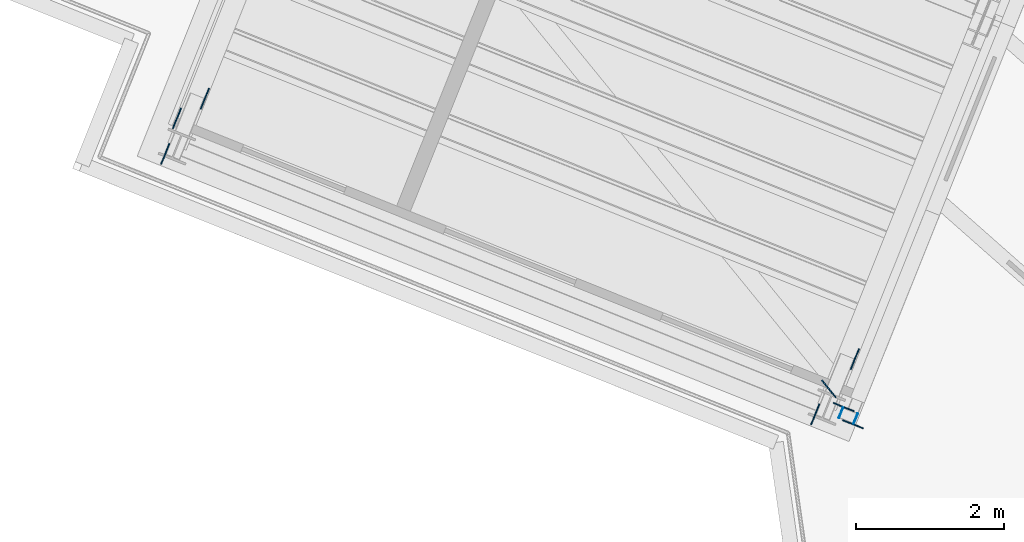
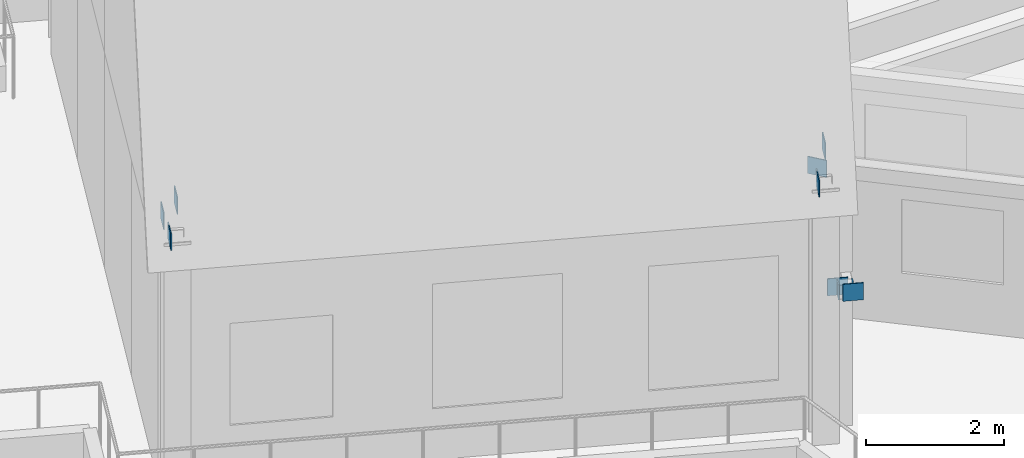
# One storey, part 20 of 32: 10 discrete accessories.
"""IFC4 building model written with IfcOpenShell, lengths in metres."""

from ifc_helpers import new_model, si_unit, direction, frame, origin, origin_2d, place, context, subcontext, project, spatial, rectangle, extrude, element, save


model = new_model("IFC4")

# Units and contexts
model_context = context("Model", 3, precision=1e-05, world=origin(), true_north=direction((0.0, 1.0)))
body_context = subcontext(model_context, "Body", "Model", "MODEL_VIEW")
ifc_project = project(units=[si_unit("LENGTHUNIT", "METRE"), si_unit("AREAUNIT", "SQUARE_METRE"), si_unit("VOLUMEUNIT", "CUBIC_METRE"), si_unit("PLANEANGLEUNIT", "RADIAN"), si_unit("MASSUNIT", "GRAM", prefix="KILO")], contexts=[model_context])

# Site, building, storey
site_placement = place(None, origin())
site = spatial("IfcSite", under=ifc_project, at=site_placement, CompositionType="ELEMENT")
building_placement = place(site_placement, origin())
building = spatial("IfcBuilding", under=site, at=building_placement, Name="Verdalira Terraces Hotel", CompositionType="ELEMENT")
storey_placement = place(building_placement, frame((0.0, 0.0, 315.0)))
storey = spatial("IfcBuildingStorey", under=building, at=storey_placement, Name="L78", CompositionType="ELEMENT", Elevation=315.0)

# Discrete accessories
discrete_accessory_1_placement = place(storey_placement, frame((-23.761963, 3.382568, 2.583008), z_axis=(-0.924261426, 0.381760154, 0.0), x_axis=(-0.381760154, -0.924261426, 0.0)))
element("IfcDiscreteAccessory", 1, at=discrete_accessory_1_placement, inside=storey, Name="End cap plate", PredefinedType="ANCHORPLATE", context=body_context, shape_type="SweptSolid", body=[
    extrude(rectangle(XDim=0.152344, YDim=0.253906, at=origin_2d()), origin(), (0.0, 0.0, 1.0), 0.012207),
])
discrete_accessory_2_placement = place(storey_placement, frame((-23.960693, 3.462402, 2.583008), z_axis=(-0.93124278, 0.364399349, 0.0), x_axis=(-0.364399349, -0.93124278, 0.0)))
element("IfcDiscreteAccessory", 2, at=discrete_accessory_2_placement, inside=storey, Name="End cap plate", PredefinedType="ANCHORPLATE", context=body_context, shape_type="SweptSolid", body=[
    extrude(rectangle(XDim=0.152344, YDim=0.253906, at=origin_2d()), origin(), (0.0, 0.0, 1.0), 0.011963),
])
for number, where, z_axis, x_axis, name in (
    (3, (-33.095215, 6.96167, 4.45166), (0.0, 0.0, 1.0), (0.37201595, 0.928226337, 0.0), "Connection plate"),
    (4, (-32.936523, 7.442627, 4.464355), (0.0, 0.0, 1.0), (0.37201595, 0.928226337, 0.0), "Connection plate"),
    (5, (-32.560059, 7.707275, 4.45166), (0.0, 0.0, 1.0), (-0.37201595, -0.928226337, 0.0), "Connection plate"),
    (6, (-24.313477, 3.441895, 4.45166), (0.0, 0.0, 1.0), (0.37201595, 0.928226337, 0.0), "Connection plate"),
    (7, (-23.929443, 3.540527, 2.433105), (0.0, 0.0, 1.0), (0.928226337, -0.37201595, 0.0), "Connection plate"),
    (8, (-24.128418, 3.7854, 4.464355), (0.0, 0.0, 1.0), (-0.631574743, 0.775314997, 0.0), "Connection plate"),
    (9, (-23.804443, 3.308838, 2.433105), (0.0, 0.0, 1.0), (-0.928226337, 0.37201595, 0.0), "Connection plate"),
    (10, (-23.77832, 4.187744, 4.45166), (0.0, 0.0, 1.0), (-0.37201595, -0.928226337, 0.0), "Connection plate"),
):
    element("IfcDiscreteAccessory", number, at=place(storey_placement, frame(where, z_axis=z_axis, x_axis=x_axis)), inside=storey, Name=name, PredefinedType="BRACKET", context=body_context, shape_type="SweptSolid", body=[
        extrude(rectangle(XDim=0.300049, YDim=0.016113, at=origin_2d()), origin(), (0.0, 0.0, 1.0), 0.300049),
    ])

save(model, "model.ifc")
